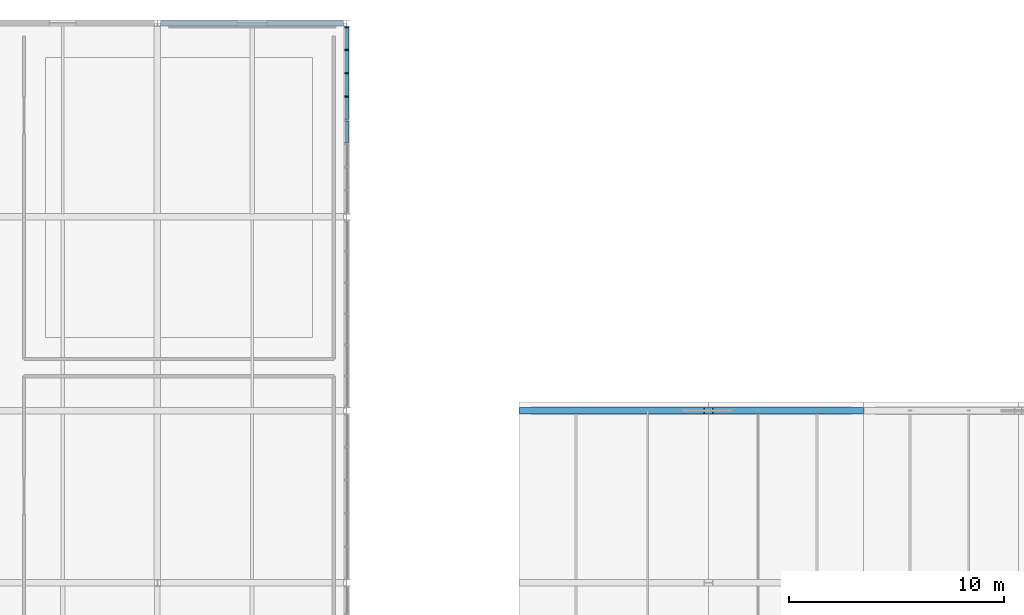
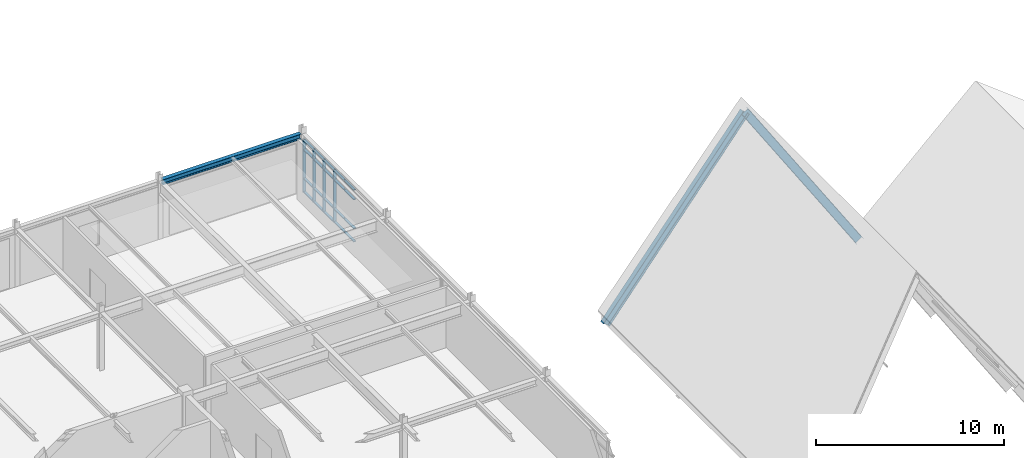
# One storey, part 24 of 64: 26 members, 1 beam, 1 element without a shape of its own.
"""IFC4 building model written with IfcOpenShell, lengths in metres."""

from ifc_helpers import new_model, si_unit, direction, frame, origin, origin_2d, place, context, subcontext, project, spatial, rectangle, i_section, extrude, material, material_profile, profile_set, type_object, element, aggregate, save


model = new_model("IFC4")

# Units and contexts
model_context = context("Model", 3, precision=1e-05, world=origin(), true_north=direction((0.0, 1.0)))
body_context = subcontext(model_context, "Body", "Model", "MODEL_VIEW")
ifc_project = project(units=[si_unit("LENGTHUNIT", "METRE"), si_unit("AREAUNIT", "SQUARE_METRE"), si_unit("VOLUMEUNIT", "CUBIC_METRE"), si_unit("PLANEANGLEUNIT", "RADIAN"), si_unit("MASSUNIT", "GRAM", prefix="KILO")], contexts=[model_context])

# Site, building, storey
site_placement = place(None, origin())
site = spatial("IfcSite", under=ifc_project, at=site_placement, CompositionType="ELEMENT")
building_placement = place(site_placement, origin())
building = spatial("IfcBuilding", under=site, at=building_placement, Name="Zhaolan Boulevard Law Courts", CompositionType="ELEMENT")
storey_placement = place(building_placement, frame((0.0, 0.0, 20.39990234375)))
storey = spatial("IfcBuildingStorey", under=building, at=storey_placement, Name="L04", CompositionType="ELEMENT", Elevation=20.39990234375)

# Curtain wall, members
ifc_material_1 = material(Name="Thermally broken aluminium and low-E glazing", Category="aluminium")
curtain_wall_type = type_object("IfcCurtainWallType", Name="CURTAIN WALL M18", PredefinedType="USERDEFINED", material=ifc_material_1)
curtain_wall_placement = place(storey_placement, origin())
curtain_wall = element("IfcCurtainWall", 1, at=curtain_wall_placement, inside=storey, type_object=curtain_wall_type, Name="Curtain Wall CW-L04-138", ObjectType="CURTAIN WALL", PredefinedType="USERDEFINED")
ifc_material_2 = material(Name="Fluorocarbon-coated aluminium 6063-T6", Category="aluminium")
ifc_material_profile_1 = material_profile(ifc_material_2, rectangle(XDim=0.179931640625, YDim=0.06494140625, at=origin_2d()), Name="AL65x180")
ifc_profile_set_1 = profile_set([ifc_material_profile_1], Name="Fluorocarbon-coated aluminium 6063-T6")
member_type_1 = type_object("IfcMemberType", Name="CWMULLION 65X180", PredefinedType="MULLION", material=ifc_profile_set_1)
member_1_placement = place(storey_placement, frame((44.0, 108.5869140625, 0.0), z_axis=(0.0, 0.0, 1.0), x_axis=(-1.0, 0.0, 0.0)))
member_1 = element("IfcMember", 2, at=member_1_placement, type_object=member_type_1, Name="CW-L04-138 mullion 6", PredefinedType="MULLION", context=body_context, shape_type="SweptSolid", body=[
    extrude(rectangle(XDim=0.179931640625, YDim=0.06494140625, at=origin_2d()), origin(), (0.0, 0.0, 1.0), 3.423095703125),
])
member_2_placement = place(storey_placement, frame((44.0, 109.674072265625, 0.0), z_axis=(0.0, 0.0, 1.0), x_axis=(-1.0, 0.0, 0.0)))
member_2 = element("IfcMember", 3, at=member_2_placement, type_object=member_type_1, Name="CW-L04-138 mullion 7", PredefinedType="MULLION", context=body_context, shape_type="SweptSolid", body=[
    extrude(rectangle(XDim=0.179931640625, YDim=0.06494140625, at=origin_2d()), origin(), (0.0, 0.0, 1.0), 3.423095703125),
])
member_3_placement = place(storey_placement, frame((44.0, 110.760986328125, 0.0), z_axis=(0.0, 0.0, 1.0), x_axis=(-1.0, 0.0, 0.0)))
member_3 = element("IfcMember", 4, at=member_3_placement, type_object=member_type_1, Name="CW-L04-138 mullion 8", PredefinedType="MULLION", context=body_context, shape_type="SweptSolid", body=[
    extrude(rectangle(XDim=0.179931640625, YDim=0.06494140625, at=origin_2d()), origin(), (0.0, 0.0, 1.0), 3.423095703125),
])
member_4_placement = place(storey_placement, frame((44.0, 111.8154296875, 0.0), z_axis=(0.0, 0.0, 1.0), x_axis=(-1.0, 0.0, 0.0)))
member_4 = element("IfcMember", 5, at=member_4_placement, type_object=member_type_1, Name="CW-L04-138 mullion 9", PredefinedType="MULLION", context=body_context, shape_type="SweptSolid", body=[
    extrude(rectangle(XDim=0.179931640625, YDim=0.06494140625, at=origin_2d()), origin(), (0.0, 0.0, 1.0), 3.423095703125),
])
ifc_material_3 = material(Name="Fluorocarbon-coated aluminium 6063-T6", Category="aluminium")
ifc_material_profile_2 = material_profile(ifc_material_3, rectangle(XDim=0.139892578125, YDim=0.06494140625, at=origin_2d()), Name="AL65x140")
ifc_profile_set_2 = profile_set([ifc_material_profile_2], Name="Fluorocarbon-coated aluminium 6063-T6")
member_type_2 = type_object("IfcMemberType", Name="CWTRANSOM 65X140", PredefinedType="USERDEFINED", material=ifc_profile_set_2)
member_5_placement = place(storey_placement, frame((44.0, 106.445556640625, 0.03271484375), z_axis=(0.0, 1.0, 0.0), x_axis=(-1.0, 0.0, 0.0)))
member_5 = element("IfcMember", 6, at=member_5_placement, type_object=member_type_2, Name="CW-L04-138 transom 4.1", ObjectType="TRANSOM", PredefinedType="USERDEFINED", context=body_context, shape_type="SweptSolid", body=[
    extrude(rectangle(XDim=0.139892578125, YDim=0.06494140625, at=origin_2d()), origin(), (0.0, 0.0, 1.0), 1.02197265625),
])
member_6_placement = place(storey_placement, frame((44.0, 106.445556640625, 0.900146484375), z_axis=(0.0, 1.0, 0.0), x_axis=(-1.0, 0.0, 0.0)))
member_6 = element("IfcMember", 7, at=member_6_placement, type_object=member_type_2, Name="CW-L04-138 transom 4.2", ObjectType="TRANSOM", PredefinedType="USERDEFINED", context=body_context, shape_type="SweptSolid", body=[
    extrude(rectangle(XDim=0.139892578125, YDim=0.06494140625, at=origin_2d()), origin(), (0.0, 0.0, 1.0), 1.02197265625),
])
member_7_placement = place(storey_placement, frame((44.0, 106.445556640625, 2.773193359375), z_axis=(0.0, 1.0, 0.0), x_axis=(-1.0, 0.0, 0.0)))
member_7 = element("IfcMember", 8, at=member_7_placement, type_object=member_type_2, Name="CW-L04-138 transom 4.3", ObjectType="TRANSOM", PredefinedType="USERDEFINED", context=body_context, shape_type="SweptSolid", body=[
    extrude(rectangle(XDim=0.139892578125, YDim=0.06494140625, at=origin_2d()), origin(), (0.0, 0.0, 1.0), 1.02197265625),
])
member_8_placement = place(storey_placement, frame((44.0, 106.445556640625, 3.390625), z_axis=(0.0, 1.0, 0.0), x_axis=(-1.0, 0.0, 0.0)))
member_8 = element("IfcMember", 9, at=member_8_placement, type_object=member_type_2, Name="CW-L04-138 transom 4.4", ObjectType="TRANSOM", PredefinedType="USERDEFINED", context=body_context, shape_type="SweptSolid", body=[
    extrude(rectangle(XDim=0.139892578125, YDim=0.06494140625, at=origin_2d()), origin(), (0.0, 0.0, 1.0), 1.02197265625),
])
member_9_placement = place(storey_placement, frame((44.0, 107.532470703125, 0.03271484375), z_axis=(0.0, 1.0, 0.0), x_axis=(-1.0, 0.0, 0.0)))
member_9 = element("IfcMember", 10, at=member_9_placement, type_object=member_type_2, Name="CW-L04-138 transom 5.1", ObjectType="TRANSOM", PredefinedType="USERDEFINED", context=body_context, shape_type="SweptSolid", body=[
    extrude(rectangle(XDim=0.139892578125, YDim=0.06494140625, at=origin_2d()), origin(), (0.0, 0.0, 1.0), 1.02197265625),
])
member_10_placement = place(storey_placement, frame((44.0, 107.532470703125, 0.900146484375), z_axis=(0.0, 1.0, 0.0), x_axis=(-1.0, 0.0, 0.0)))
member_10 = element("IfcMember", 11, at=member_10_placement, type_object=member_type_2, Name="CW-L04-138 transom 5.2", ObjectType="TRANSOM", PredefinedType="USERDEFINED", context=body_context, shape_type="SweptSolid", body=[
    extrude(rectangle(XDim=0.139892578125, YDim=0.06494140625, at=origin_2d()), origin(), (0.0, 0.0, 1.0), 1.02197265625),
])
member_11_placement = place(storey_placement, frame((44.0, 107.532470703125, 2.773193359375), z_axis=(0.0, 1.0, 0.0), x_axis=(-1.0, 0.0, 0.0)))
member_11 = element("IfcMember", 12, at=member_11_placement, type_object=member_type_2, Name="CW-L04-138 transom 5.3", ObjectType="TRANSOM", PredefinedType="USERDEFINED", context=body_context, shape_type="SweptSolid", body=[
    extrude(rectangle(XDim=0.139892578125, YDim=0.06494140625, at=origin_2d()), origin(), (0.0, 0.0, 1.0), 1.02197265625),
])
member_12_placement = place(storey_placement, frame((44.0, 107.532470703125, 3.390625), z_axis=(0.0, 1.0, 0.0), x_axis=(-1.0, 0.0, 0.0)))
member_12 = element("IfcMember", 13, at=member_12_placement, type_object=member_type_2, Name="CW-L04-138 transom 5.4", ObjectType="TRANSOM", PredefinedType="USERDEFINED", context=body_context, shape_type="SweptSolid", body=[
    extrude(rectangle(XDim=0.139892578125, YDim=0.06494140625, at=origin_2d()), origin(), (0.0, 0.0, 1.0), 1.02197265625),
])
member_13_placement = place(storey_placement, frame((44.0, 108.619384765625, 0.03271484375), z_axis=(0.0, 1.0, 0.0), x_axis=(-1.0, 0.0, 0.0)))
member_13 = element("IfcMember", 14, at=member_13_placement, type_object=member_type_2, Name="CW-L04-138 transom 6.1", ObjectType="TRANSOM", PredefinedType="USERDEFINED", context=body_context, shape_type="SweptSolid", body=[
    extrude(rectangle(XDim=0.139892578125, YDim=0.06494140625, at=origin_2d()), origin(), (0.0, 0.0, 1.0), 1.022216796875),
])
member_14_placement = place(storey_placement, frame((44.0, 108.619384765625, 0.900146484375), z_axis=(0.0, 1.0, 0.0), x_axis=(-1.0, 0.0, 0.0)))
member_14 = element("IfcMember", 15, at=member_14_placement, type_object=member_type_2, Name="CW-L04-138 transom 6.2", ObjectType="TRANSOM", PredefinedType="USERDEFINED", context=body_context, shape_type="SweptSolid", body=[
    extrude(rectangle(XDim=0.139892578125, YDim=0.06494140625, at=origin_2d()), origin(), (0.0, 0.0, 1.0), 1.022216796875),
])
member_15_placement = place(storey_placement, frame((44.0, 108.619384765625, 2.773193359375), z_axis=(0.0, 1.0, 0.0), x_axis=(-1.0, 0.0, 0.0)))
member_15 = element("IfcMember", 16, at=member_15_placement, type_object=member_type_2, Name="CW-L04-138 transom 6.3", ObjectType="TRANSOM", PredefinedType="USERDEFINED", context=body_context, shape_type="SweptSolid", body=[
    extrude(rectangle(XDim=0.139892578125, YDim=0.06494140625, at=origin_2d()), origin(), (0.0, 0.0, 1.0), 1.022216796875),
])
member_16_placement = place(storey_placement, frame((44.0, 108.619384765625, 3.390625), z_axis=(0.0, 1.0, 0.0), x_axis=(-1.0, 0.0, 0.0)))
member_16 = element("IfcMember", 17, at=member_16_placement, type_object=member_type_2, Name="CW-L04-138 transom 6.4", ObjectType="TRANSOM", PredefinedType="USERDEFINED", context=body_context, shape_type="SweptSolid", body=[
    extrude(rectangle(XDim=0.139892578125, YDim=0.06494140625, at=origin_2d()), origin(), (0.0, 0.0, 1.0), 1.022216796875),
])
member_17_placement = place(storey_placement, frame((44.0, 109.70654296875, 0.03271484375), z_axis=(0.0, 1.0, 0.0), x_axis=(-1.0, 0.0, 0.0)))
member_17 = element("IfcMember", 18, at=member_17_placement, type_object=member_type_2, Name="CW-L04-138 transom 7.1", ObjectType="TRANSOM", PredefinedType="USERDEFINED", context=body_context, shape_type="SweptSolid", body=[
    extrude(rectangle(XDim=0.139892578125, YDim=0.06494140625, at=origin_2d()), origin(), (0.0, 0.0, 1.0), 1.02197265625),
])
member_18_placement = place(storey_placement, frame((44.0, 109.70654296875, 0.900146484375), z_axis=(0.0, 1.0, 0.0), x_axis=(-1.0, 0.0, 0.0)))
member_18 = element("IfcMember", 19, at=member_18_placement, type_object=member_type_2, Name="CW-L04-138 transom 7.2", ObjectType="TRANSOM", PredefinedType="USERDEFINED", context=body_context, shape_type="SweptSolid", body=[
    extrude(rectangle(XDim=0.139892578125, YDim=0.06494140625, at=origin_2d()), origin(), (0.0, 0.0, 1.0), 1.02197265625),
])
member_19_placement = place(storey_placement, frame((44.0, 109.70654296875, 2.773193359375), z_axis=(0.0, 1.0, 0.0), x_axis=(-1.0, 0.0, 0.0)))
member_19 = element("IfcMember", 20, at=member_19_placement, type_object=member_type_2, Name="CW-L04-138 transom 7.3", ObjectType="TRANSOM", PredefinedType="USERDEFINED", context=body_context, shape_type="SweptSolid", body=[
    extrude(rectangle(XDim=0.139892578125, YDim=0.06494140625, at=origin_2d()), origin(), (0.0, 0.0, 1.0), 1.02197265625),
])
member_20_placement = place(storey_placement, frame((44.0, 109.70654296875, 3.390625), z_axis=(0.0, 1.0, 0.0), x_axis=(-1.0, 0.0, 0.0)))
member_20 = element("IfcMember", 21, at=member_20_placement, type_object=member_type_2, Name="CW-L04-138 transom 7.4", ObjectType="TRANSOM", PredefinedType="USERDEFINED", context=body_context, shape_type="SweptSolid", body=[
    extrude(rectangle(XDim=0.139892578125, YDim=0.06494140625, at=origin_2d()), origin(), (0.0, 0.0, 1.0), 1.02197265625),
])
member_21_placement = place(storey_placement, frame((44.0, 110.79345703125, 0.03271484375), z_axis=(0.0, 1.0, 0.0), x_axis=(-1.0, 0.0, 0.0)))
member_21 = element("IfcMember", 22, at=member_21_placement, type_object=member_type_2, Name="CW-L04-138 transom 8.1", ObjectType="TRANSOM", PredefinedType="USERDEFINED", context=body_context, shape_type="SweptSolid", body=[
    extrude(rectangle(XDim=0.139892578125, YDim=0.06494140625, at=origin_2d()), origin(), (0.0, 0.0, 1.0), 0.989501953125),
])
member_22_placement = place(storey_placement, frame((44.0, 110.79345703125, 0.900146484375), z_axis=(0.0, 1.0, 0.0), x_axis=(-1.0, 0.0, 0.0)))
member_22 = element("IfcMember", 23, at=member_22_placement, type_object=member_type_2, Name="CW-L04-138 transom 8.2", ObjectType="TRANSOM", PredefinedType="USERDEFINED", context=body_context, shape_type="SweptSolid", body=[
    extrude(rectangle(XDim=0.139892578125, YDim=0.06494140625, at=origin_2d()), origin(), (0.0, 0.0, 1.0), 0.989501953125),
])
member_23_placement = place(storey_placement, frame((44.0, 110.79345703125, 2.773193359375), z_axis=(0.0, 1.0, 0.0), x_axis=(-1.0, 0.0, 0.0)))
member_23 = element("IfcMember", 24, at=member_23_placement, type_object=member_type_2, Name="CW-L04-138 transom 8.3", ObjectType="TRANSOM", PredefinedType="USERDEFINED", context=body_context, shape_type="SweptSolid", body=[
    extrude(rectangle(XDim=0.139892578125, YDim=0.06494140625, at=origin_2d()), origin(), (0.0, 0.0, 1.0), 0.989501953125),
])
member_24_placement = place(storey_placement, frame((44.0, 110.79345703125, 3.390625), z_axis=(0.0, 1.0, 0.0), x_axis=(-1.0, 0.0, 0.0)))
member_24 = element("IfcMember", 25, at=member_24_placement, type_object=member_type_2, Name="CW-L04-138 transom 8.4", ObjectType="TRANSOM", PredefinedType="USERDEFINED", context=body_context, shape_type="SweptSolid", body=[
    extrude(rectangle(XDim=0.139892578125, YDim=0.06494140625, at=origin_2d()), origin(), (0.0, 0.0, 1.0), 0.989501953125),
])
aggregate(curtain_wall, [member_1, member_2, member_3, member_4, member_5, member_6, member_7, member_8, member_9, member_10, member_11, member_12, member_13, member_14, member_15, member_16, member_17, member_18, member_19, member_20, member_21, member_22, member_23, member_24])

# Members
ifc_material_4 = material(Name="Structural steel Q390B", Category="steel")
ifc_material_profile_3 = material_profile(ifc_material_4, i_section(OverallWidth=0.300048828125, OverallDepth=0.48193359375, WebThickness=0.010986328125, FlangeThickness=0.014892578125, FilletRadius=0.02197265625, at=origin_2d()), Name="HM482x300")
ifc_profile_set_3 = profile_set([ifc_material_profile_3], Name="Structural steel Q390B")
member_type_3 = type_object("IfcMemberType", Name="RAFTER HM488", PredefinedType="RAFTER", material=ifc_profile_set_3)
member_25_placement = place(storey_placement, frame((52.199951171875, 94.0, -0.64794921875), z_axis=(0.622929387018, 0.0, 0.782278069991), x_axis=(0.0, 1.0, 0.0)))
element("IfcMember", 26, at=member_25_placement, inside=storey, type_object=member_type_3, Name="Courtroom Gable Rafter GRF-1W", PredefinedType="RAFTER", context=body_context, shape_type="SweptSolid", body=[
    extrude(i_section(OverallWidth=0.300048828125, OverallDepth=0.48193359375, WebThickness=0.010986328125, FlangeThickness=0.014892578125, FilletRadius=0.02197265625, at=origin_2d()), origin(), (0.0, 0.0, 1.0), 13.805908203125),
])
member_26_placement = place(storey_placement, frame((67.800048828125, 94.0, -0.64794921875), z_axis=(-0.543893722668, 0.0, 0.839154108875), x_axis=(0.0, -1.0, 0.0)))
element("IfcMember", 27, at=member_26_placement, inside=storey, type_object=member_type_3, Name="Courtroom Gable Rafter GRF-1E", PredefinedType="RAFTER", context=body_context, shape_type="SweptSolid", body=[
    extrude(i_section(OverallWidth=0.300048828125, OverallDepth=0.48193359375, WebThickness=0.010986328125, FlangeThickness=0.014892578125, FilletRadius=0.02197265625, at=origin_2d()), origin(), (0.0, 0.0, 1.0), 12.8701171875),
])

# Beam
ifc_material_5 = material(Name="Structural steel Q355B", Category="steel")
ifc_material_profile_4 = material_profile(ifc_material_5, i_section(OverallWidth=0.25, OverallDepth=0.340087890625, WebThickness=0.009033203125, FlangeThickness=0.013916015625, FilletRadius=0.01611328125, at=origin_2d()), Name="HM340x250")
ifc_profile_set_4 = profile_set([ifc_material_profile_4], Name="Structural steel Q355B")
beam_type = type_object("IfcBeamType", Name="SPANDREL HM340", PredefinedType="SPANDREL", material=ifc_profile_set_4)
beam_placement = place(storey_placement, frame((35.345947265625, 112.0, 3.608154296875), z_axis=(1.0, 0.0, 0.0), x_axis=(0.0, 1.0, 0.0)))
element("IfcBeam", 28, at=beam_placement, inside=storey, type_object=beam_type, Name="Beam BX-L05-5-6-Q", PredefinedType="SPANDREL", context=body_context, shape_type="SweptSolid", body=[
    extrude(i_section(OverallWidth=0.25, OverallDepth=0.340087890625, WebThickness=0.009033203125, FlangeThickness=0.013916015625, FilletRadius=0.01611328125, at=origin_2d()), origin(), (0.0, 0.0, 1.0), 8.508056640625),
])

save(model, "model.ifc")
